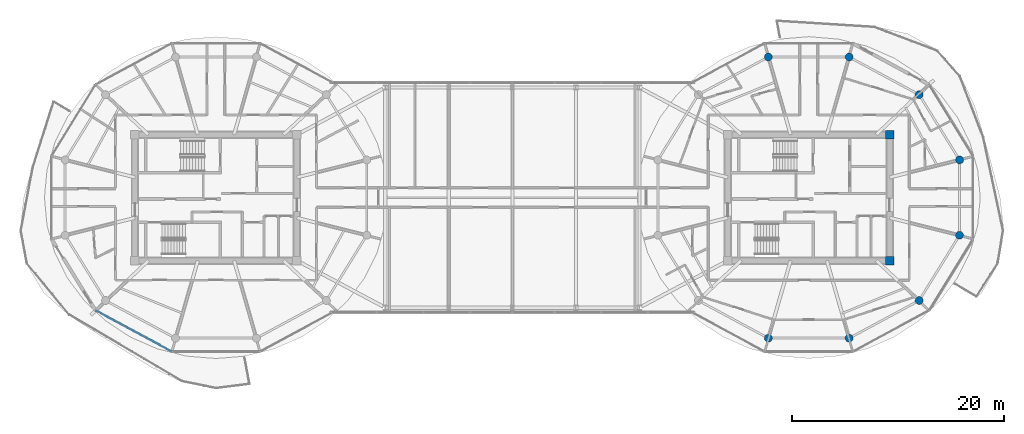
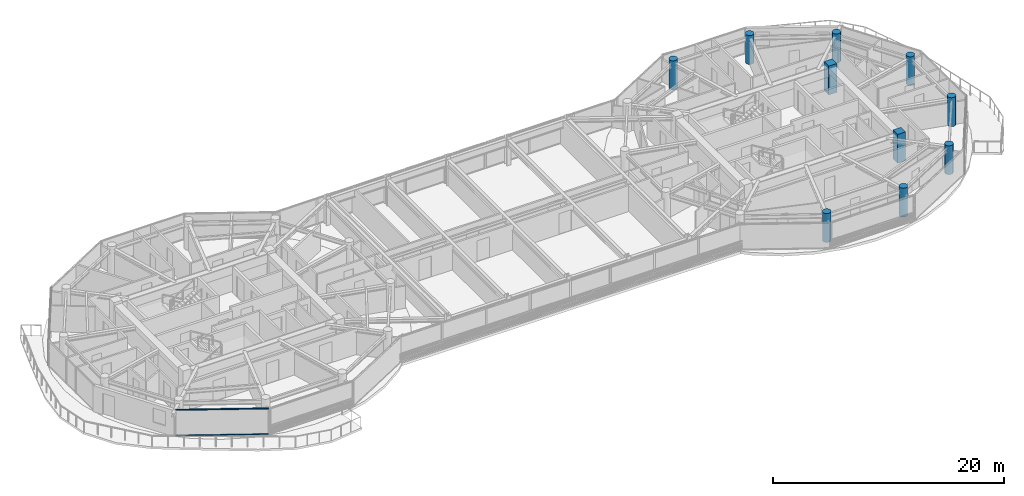
# One storey, part 2 of 23: 10 columns, 2 members, 1 element without a shape of its own.
"""IFC4 building model written with IfcOpenShell, lengths in metres."""

import ifcopenshell
import ifcopenshell.guid

model = None  # the IFC model being written
_history = None  # IfcOwnerHistory: only IFC2X3 demands one
_inside = {}  # id of a spatial element -> (the spatial element, [elements in it])
_under = {}  # id of a project, library or spatial element -> (it, [spatial elements below it])
_declared = {}  # id of a project -> (the project, [libraries it declares])
_typed = {}  # id of a type object -> (the type object, [elements of that type])
_made_of = {}  # id of a material, layer set ... -> (it, [elements and type objects made of it])


def new_model(schema):
    """Start an empty IFC model of exactly this schema.

    Asked for "IFC4X3", IfcOpenShell would pick the latest addendum, in which some entities
    have other attributes; the version numbers below select the first issue.
    IFC2X3 requires an IfcOwnerHistory on every rooted entity: one is made here for all.
    """
    global model, _history
    if schema == "IFC4X3":
        model = ifcopenshell.file(schema_version=(4, 3, 0, 0))
    else:
        model = ifcopenshell.file(schema=schema)
    _inside.clear()
    _under.clear()
    _declared.clear()
    _typed.clear()
    _made_of.clear()
    _history = None
    if model.schema == "IFC2X3":
        org = make("IfcOrganization", Name="unknown")
        user = make(
            "IfcPersonAndOrganization",
            ThePerson=make("IfcPerson", FamilyName="unknown"),
            TheOrganization=org,
        )
        app = make(
            "IfcApplication",
            ApplicationDeveloper=org,
            Version="unknown",
            ApplicationFullName="unknown",
            ApplicationIdentifier="unknown",
        )
        _history = make(
            "IfcOwnerHistory",
            OwningUser=user,
            OwningApplication=app,
            ChangeAction="ADDED",
            CreationDate=0,
        )
    return model


def make(cls, **values):
    """One entity of the class cls with the attributes given. An attribute that is None is left unset."""
    return model.create_entity(
        cls, **{name: value for name, value in values.items() if value is not None}
    )


def rooted(cls, **values):
    """An entity with a GlobalId (a new one), such as an element, a storey or a relation."""
    return make(cls, GlobalId=ifcopenshell.guid.new(), OwnerHistory=_history, **values)


def si_unit(unit_type, name, prefix=None):
    """IfcSIUnit, for example si_unit("LENGTHUNIT", "METRE", prefix="MILLI")."""
    return make("IfcSIUnit", UnitType=unit_type, Prefix=prefix, Name=name)


def assignment(units):
    """IfcUnitAssignment: the units of a project."""
    return None if units is None else make("IfcUnitAssignment", Units=units)


def point(xyz):
    """IfcCartesianPoint."""
    return None if xyz is None else make("IfcCartesianPoint", Coordinates=xyz)


def direction(xyz):
    """IfcDirection."""
    return None if xyz is None else make("IfcDirection", DirectionRatios=xyz)


def frame(location, z_axis=None, x_axis=None):
    """IfcAxis2Placement3D, a coordinate frame: its origin and axes. An axis left out is left unset."""
    return make(
        "IfcAxis2Placement3D",
        Location=point(location),
        Axis=direction(z_axis),
        RefDirection=direction(x_axis),
    )


def frame_2d(location, x_axis=None):
    """IfcAxis2Placement2D, a coordinate frame in the plane: its origin and x axis."""
    return make(
        "IfcAxis2Placement2D", Location=point(location), RefDirection=direction(x_axis)
    )


def origin():
    """The frame at (0, 0, 0) with its axes left unset."""
    return frame((0.0, 0.0, 0.0))


def origin_2d():
    """The frame at (0, 0) in the plane with its x axis left unset."""
    return frame_2d((0.0, 0.0))


def place(relative_to, where):
    """IfcLocalPlacement: puts the frame where relative to a parent placement (None: the world)."""
    return make(
        "IfcLocalPlacement", PlacementRelTo=relative_to, RelativePlacement=where
    )


def context(
    kind, dimensions, precision=None, world=None, true_north=None, identifier=None
):
    """IfcGeometricRepresentationContext, for example the 3D "Model" context."""
    return make(
        "IfcGeometricRepresentationContext",
        ContextIdentifier=identifier,
        ContextType=kind,
        CoordinateSpaceDimension=dimensions,
        Precision=precision,
        WorldCoordinateSystem=world,
        TrueNorth=true_north,
    )


def subcontext(parent, identifier, kind, view, scale=None):
    """IfcGeometricRepresentationSubContext, for example "Body" below "Model"."""
    return make(
        "IfcGeometricRepresentationSubContext",
        ContextIdentifier=identifier,
        ContextType=kind,
        ParentContext=parent,
        TargetScale=scale,
        TargetView=view,
    )


def project(units=None, contexts=None):
    """IfcProject with its units and contexts."""
    return rooted(
        "IfcProject",
        Name="project",
        RepresentationContexts=contexts,
        UnitsInContext=assignment(units),
    )


def spatial(cls, under=None, at=None, **own):
    """A site, building, storey or space (cls), placed at a placement, below another one or the project."""
    s = rooted(cls, ObjectPlacement=at, **own)
    if under is not None:
        _under.setdefault(under.id(), (under, []))[1].append(s)
    return s


def profile(cls, at=None, kind="AREA", **sizes):
    """A parametric profile (cls). Its sizes go by their IFC names, for example OverallWidth=200.0."""
    return make(cls, ProfileType=kind, Position=at, **sizes)


def rectangle(**sizes):
    """IfcRectangleProfileDef."""
    return profile("IfcRectangleProfileDef", **sizes)


def circle(**sizes):
    """IfcCircleProfileDef."""
    return profile("IfcCircleProfileDef", **sizes)


def extrude(swept, where, along, depth):
    """IfcExtrudedAreaSolid: the profile swept, set in the frame where, extruded along a direction by depth."""
    return make(
        "IfcExtrudedAreaSolid",
        SweptArea=swept,
        Position=where,
        ExtrudedDirection=direction(along),
        Depth=depth,
    )


def shape(context_of_items, identifier, shape_type, items):
    """IfcShapeRepresentation: the items that make up one representation, for example the "Body"."""
    return make(
        "IfcShapeRepresentation",
        ContextOfItems=context_of_items,
        RepresentationIdentifier=identifier,
        RepresentationType=shape_type,
        Items=items,
    )


def source(mapping_origin, context_of_items, identifier, shape_type, items):
    """IfcRepresentationMap: a shape defined once, which mapped items show again and again."""
    return make(
        "IfcRepresentationMap",
        MappingOrigin=mapping_origin,
        MappedRepresentation=shape(context_of_items, identifier, shape_type, items),
    )


def transform(
    local_origin,
    x_axis=None,
    y_axis=None,
    z_axis=None,
    scale=None,
    scale2=None,
    scale3=None,
    uniform=True,
):
    """IfcCartesianTransformationOperator3D, or its non-uniform kind. x_axis, y_axis, z_axis: its Axis1, 2, 3."""
    if uniform:
        return make(
            "IfcCartesianTransformationOperator3D",
            Axis1=direction(x_axis),
            Axis2=direction(y_axis),
            LocalOrigin=point(local_origin),
            Scale=scale,
            Axis3=direction(z_axis),
        )
    return make(
        "IfcCartesianTransformationOperator3DnonUniform",
        Axis1=direction(x_axis),
        Axis2=direction(y_axis),
        LocalOrigin=point(local_origin),
        Scale=scale,
        Axis3=direction(z_axis),
        Scale2=scale2,
        Scale3=scale3,
    )


def mapped(mapping_source, mapping_target):
    """IfcMappedItem: shows the shape of a source again, moved by a transform."""
    return make(
        "IfcMappedItem", MappingSource=mapping_source, MappingTarget=mapping_target
    )


def material(Name=None, Category=None):
    """IfcMaterial."""
    return make("IfcMaterial", Name=Name, Category=Category)


def layer(
    of_material, thickness, ventilated=None, Name=None, Category=None, Priority=None
):
    """IfcMaterialLayer: one layer of a wall or slab, of a material (None: an air gap)."""
    return make(
        "IfcMaterialLayer",
        Material=of_material,
        LayerThickness=thickness,
        IsVentilated=ventilated,
        Name=Name,
        Category=Category,
        Priority=Priority,
    )


def layer_set(layers, Name=None):
    """IfcMaterialLayerSet."""
    return make("IfcMaterialLayerSet", MaterialLayers=layers, LayerSetName=Name)


def material_profile(
    of_material, cross_section, Name=None, Category=None, Priority=None
):
    """IfcMaterialProfile: a cross section and its material."""
    return make(
        "IfcMaterialProfile",
        Name=Name,
        Material=of_material,
        Profile=cross_section,
        Priority=Priority,
        Category=Category,
    )


def profile_set(profiles, Name=None, composite=None):
    """IfcMaterialProfileSet."""
    return make(
        "IfcMaterialProfileSet",
        Name=Name,
        MaterialProfiles=profiles,
        CompositeProfile=composite,
    )


def made_of(thing, what):
    """Note that an element or type object is made of a material, layer set ...; save() writes the relation."""
    if what is not None:
        _made_of.setdefault(what.id(), (what, []))[1].append(thing)
    return thing


def type_object(cls, material=None, **own):
    """A type object (cls), such as IfcWallType, which elements share."""
    return made_of(rooted(cls, **own), material)


def type_shapes(of_type, sources):
    """Give a type object the sources (RepresentationMaps) that its elements show as mapped items."""
    of_type.RepresentationMaps = sources


def element(
    cls,
    number,
    at=None,
    inside=None,
    cuts=None,
    type_object=None,
    material=None,
    context=None,
    identifier="Body",
    shape_type=None,
    held_by="IfcProductDefinitionShape",
    body=None,
    shapes=None,
    **own,
):
    """One element of the class cls, such as IfcWall. Its Tag is "e" and its number.

    at: its placement. inside: the storey or other place that contains it. cuts: it is an
    opening in that element (IfcRelVoidsElement). A single representation is given by context,
    identifier, shape_type and body (its items); several are given by shapes. held_by: the class
    of the entity that holds the representations. save() writes the other relations.
    """
    e = rooted(cls, Tag="e%d" % number, ObjectPlacement=at, **own)
    if body is not None:
        shapes = [shape(context, identifier, shape_type, body)]
    if shapes is not None:
        e.Representation = make(held_by, Representations=shapes)
    if inside is not None:
        _inside.setdefault(inside.id(), (inside, []))[1].append(e)
    if cuts is not None:
        rooted(
            "IfcRelVoidsElement", RelatingBuildingElement=cuts, RelatedOpeningElement=e
        )
    if type_object is not None:
        _typed.setdefault(type_object.id(), (type_object, []))[1].append(e)
    return made_of(e, material)


def aggregate(whole, parts):
    """IfcRelAggregates: a whole, such as a stair, and the parts it consists of."""
    return rooted("IfcRelAggregates", RelatingObject=whole, RelatedObjects=parts)


def save(model, path):
    """Write the relations noted so far, then the file.

    IfcRelAggregates (storeys below a building ...), IfcRelContainedInSpatialStructure (elements
    in a storey), IfcRelDefinesByType, IfcRelAssociatesMaterial and IfcRelDeclares: one each for
    every whole, place, type object, material and project.
    """
    for whole, parts in _under.values():
        aggregate(whole, parts)
    for where, things in _inside.values():
        rooted(
            "IfcRelContainedInSpatialStructure",
            RelatedElements=things,
            RelatingStructure=where,
        )
    for kind, things in _typed.values():
        rooted("IfcRelDefinesByType", RelatedObjects=things, RelatingType=kind)
    for what, things in _made_of.values():
        rooted("IfcRelAssociatesMaterial", RelatedObjects=things, RelatingMaterial=what)
    for by, libraries in _declared.values():
        rooted("IfcRelDeclares", RelatingContext=by, RelatedDefinitions=libraries)
    model.write(path)


model = new_model("IFC4")

# Units and contexts
model_context = context("Model", 3, precision=1e-05, world=origin(), true_north=direction((0.0, 1.0)))
body_context = subcontext(model_context, "Body", "Model", "MODEL_VIEW")
ifc_project = project(units=[si_unit("LENGTHUNIT", "METRE"), si_unit("AREAUNIT", "SQUARE_METRE"), si_unit("VOLUMEUNIT", "CUBIC_METRE"), si_unit("PLANEANGLEUNIT", "RADIAN"), si_unit("MASSUNIT", "GRAM", prefix="KILO")], contexts=[model_context])

# Site, building, storey
site_placement = place(None, origin())
site = spatial("IfcSite", under=ifc_project, at=site_placement, CompositionType="ELEMENT")
building_placement = place(site_placement, origin())
building = spatial("IfcBuilding", under=site, at=building_placement, Name="Norrkilde Senior Care Towers", CompositionType="ELEMENT")
storey_placement = place(building_placement, frame((0.0, 0.0, 220.0)))
storey = spatial("IfcBuildingStorey", under=building, at=storey_placement, Name="L68", CompositionType="ELEMENT", Elevation=220.0)

# Columns
ifc_material_1 = material(Name="Concrete C60/75", Category="concrete")
ifc_material_profile_1 = material_profile(ifc_material_1, rectangle(XDim=0.800048828125, YDim=0.800048828125, at=origin_2d()), Name="RC COL 800x800")
ifc_profile_set_1 = profile_set([ifc_material_profile_1], Name="Concrete C60/75")
column_type_1 = type_object("IfcColumnType", Name="Column Core Corner Z3-Z4 800", PredefinedType="COLUMN", material=ifc_profile_set_1)
shared_shape_1 = source(origin(), body_context, "Body", "SweptSolid", [
    extrude(rectangle(XDim=0.800048828125, YDim=0.800048828125, at=origin_2d()), origin(), (0.0, 0.0, 1.0), 3.050048828125),
])
type_shapes(column_type_1, [shared_shape_1])
for number, where, z_axis, x_axis, name in (
    (1, (35.64990234375, -5.949951171875, 0.0), (0.0, 0.0, 1.0), (1.0, 0.0, 0.0), "L68 Core E Corner Column 2"),
    (2, (35.64990234375, 5.949951171875, 0.0), (0.0, 0.0, 1.0), (1.0, 0.0, 0.0), "L68 Core E Corner Column 3"),
):
    element("IfcColumn", number, at=place(storey_placement, frame(where, z_axis=z_axis, x_axis=x_axis)), inside=storey, type_object=column_type_1, Name=name, PredefinedType="COLUMN", context=body_context, shape_type="MappedRepresentation", body=[
        mapped(shared_shape_1, transform((0.0, 0.0, 0.0), x_axis=(1.0, 0.0, 0.0), y_axis=(0.0, 1.0, 0.0), z_axis=(0.0, 0.0, 1.0), scale=1.0)),
    ])
ifc_material_2 = material(Name="Concrete C50/60", Category="concrete")
ifc_material_profile_2 = material_profile(ifc_material_2, circle(Radius=0.375, at=origin_2d()), Name="RC CIR 750")
ifc_profile_set_2 = profile_set([ifc_material_profile_2], Name="Concrete C50/60")
column_type_2 = type_object("IfcColumnType", Name="Column Perimeter Z4 750", PredefinedType="COLUMN", material=ifc_profile_set_2)
shared_shape_2 = source(origin(), body_context, "Body", "SweptSolid", [
    extrude(circle(Radius=0.375, at=origin_2d()), origin(), (0.0, 0.0, 1.0), 3.050048828125),
])
type_shapes(column_type_2, [shared_shape_2])
for number, where, z_axis, x_axis, name in (
    (3, (42.247314453125, 3.558837890625, 0.0), (0.0, 0.0, 1.0), (1.0, 0.0, 0.0), "L68 Drum E Perimeter Column 01"),
    (4, (38.429931640625, 9.72265625, 0.0), (0.0, 0.0, 1.0), (1.0, 0.0, 0.0), "L68 Drum E Perimeter Column 02"),
    (5, (31.817626953125, 13.281494140625, 0.0), (0.0, 0.0, 1.0), (1.0, 0.0, 0.0), "L68 Drum E Perimeter Column 03"),
    (6, (24.182373046875, 13.281494140625, 0.0), (0.0, 0.0, 1.0), (1.0, 0.0, 0.0), "L68 Drum E Perimeter Column 04"),
    (7, (24.182373046875, -13.281494140625, 0.0), (0.0, 0.0, 1.0), (1.0, 0.0, 0.0), "L68 Drum E Perimeter Column 09"),
    (8, (31.817626953125, -13.281494140625, 0.0), (0.0, 0.0, 1.0), (1.0, 0.0, 0.0), "L68 Drum E Perimeter Column 10"),
    (9, (38.429931640625, -9.72265625, 0.0), (0.0, 0.0, 1.0), (1.0, 0.0, 0.0), "L68 Drum E Perimeter Column 11"),
    (10, (42.247314453125, -3.558837890625, 0.0), (0.0, 0.0, 1.0), (1.0, 0.0, 0.0), "L68 Drum E Perimeter Column 12"),
):
    element("IfcColumn", number, at=place(storey_placement, frame(where, z_axis=z_axis, x_axis=x_axis)), inside=storey, type_object=column_type_2, Name=name, PredefinedType="COLUMN", context=body_context, shape_type="MappedRepresentation", body=[
        mapped(shared_shape_2, transform((0.0, 0.0, 0.0), x_axis=(1.0, 0.0, 0.0), y_axis=(0.0, 1.0, 0.0), z_axis=(0.0, 0.0, 1.0), scale=1.0)),
    ])

# Curtain wall, members
ifc_material_3 = material(Name="Triple Low-E Insulated Glazing", Category="glass")
ifc_layer = layer(ifc_material_3, 0.18505859375)
ifc_layer_set = layer_set([ifc_layer], Name="Triple Low-E Insulated Glazing")
curtain_wall_type = type_object("IfcCurtainWallType", Name="CW6 Zone 4 Crown Pavilion Curtain Wall", PredefinedType="NOTDEFINED", material=ifc_layer_set)
curtain_wall_placement = place(storey_placement, origin())
curtain_wall = element("IfcCurtainWall", 11, at=curtain_wall_placement, inside=storey, type_object=curtain_wall_type, Name="L68 Drum W Curtain Wall 07", PredefinedType="NOTDEFINED")
ifc_material_4 = material(Name="Anodised Aluminium", Category="aluminium")
ifc_material_profile_3 = material_profile(ifc_material_4, rectangle(XDim=0.06005859375, YDim=0.1201171875, at=origin_2d()), Name="ALU TRAN 60x120")
ifc_profile_set_3 = profile_set([ifc_material_profile_3], Name="Anodised Aluminium")
member_type = type_object("IfcMemberType", Name="Curtain Wall Transom Typical 60x120", PredefinedType="USERDEFINED", material=ifc_profile_set_3)
shared_shape_3 = source(origin(), body_context, "Body", "SweptSolid", [
    extrude(rectangle(XDim=0.06005859375, YDim=0.1201171875, at=origin_2d()), origin(), (0.0, 0.0, 1.0), 8.0673828125),
])
type_shapes(member_type, [shared_shape_3])
member_1_placement = place(storey_placement, frame((-32.218994140625, -14.53515625, 0.030029296875), z_axis=(-0.87937750072, 0.476125205411, 0.0), x_axis=(-0.476125205411, -0.87937750072, 0.0)))
member_1 = element("IfcMember", 12, at=member_1_placement, type_object=member_type, Name="CW-6 transom 1.1", ObjectType="TRANSOM", PredefinedType="USERDEFINED", context=body_context, shape_type="MappedRepresentation", body=[
    mapped(shared_shape_3, transform((0.0, 0.0, 0.0), x_axis=(1.0, 0.0, 0.0), y_axis=(0.0, 1.0, 0.0), z_axis=(0.0, 0.0, 1.0), scale=1.0)),
])
member_2_placement = place(storey_placement, frame((-32.218994140625, -14.53515625, 2.72998046875), z_axis=(-0.87937750072, 0.476125205411, 0.0), x_axis=(-0.476125205411, -0.87937750072, 0.0)))
member_2 = element("IfcMember", 13, at=member_2_placement, type_object=member_type, Name="CW-6 transom 1.2", ObjectType="TRANSOM", PredefinedType="USERDEFINED", context=body_context, shape_type="MappedRepresentation", body=[
    mapped(shared_shape_3, transform((0.0, 0.0, 0.0), x_axis=(1.0, 0.0, 0.0), y_axis=(0.0, 1.0, 0.0), z_axis=(0.0, 0.0, 1.0), scale=1.0)),
])
aggregate(curtain_wall, [member_1, member_2])

save(model, "model.ifc")
